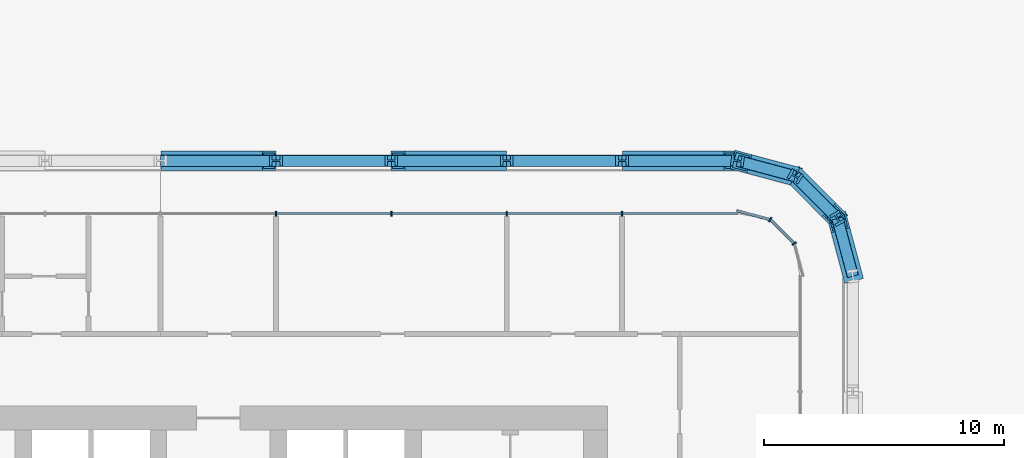
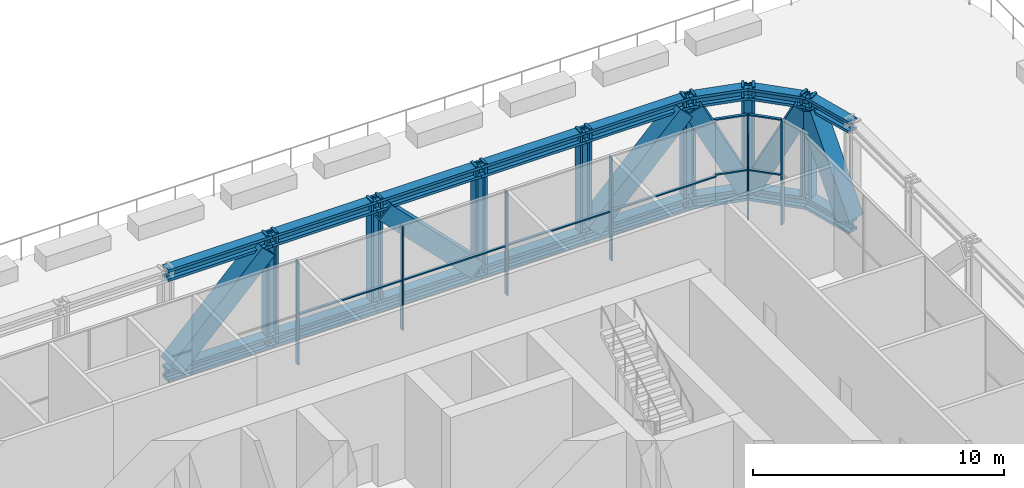
# One storey, part 10 of 22: 43 members, 2 elements without a shape of their own.
"""IFC4 building model written with IfcOpenShell, lengths in metres."""

from ifc_helpers import new_model, si_unit, direction, frame, origin, origin_2d, place, context, subcontext, project, spatial, rectangle, hollow_rectangle, i_section, extrude, material, layer, layer_set, material_profile, profile_set, type_object, element, aggregate, save


model = new_model("IFC4")

# Units and contexts
model_context = context("Model", 3, precision=1e-05, world=origin(), true_north=direction((0.0, 1.0)))
body_context = subcontext(model_context, "Body", "Model", "MODEL_VIEW")
ifc_project = project(units=[si_unit("LENGTHUNIT", "METRE"), si_unit("AREAUNIT", "SQUARE_METRE"), si_unit("VOLUMEUNIT", "CUBIC_METRE"), si_unit("PLANEANGLEUNIT", "RADIAN"), si_unit("MASSUNIT", "GRAM", prefix="KILO")], contexts=[model_context])

# Site, building, storey
site_placement = place(None, origin())
site = spatial("IfcSite", under=ifc_project, at=site_placement, CompositionType="ELEMENT")
building_placement = place(site_placement, origin())
building = spatial("IfcBuilding", under=site, at=building_placement, Name="Madar Terraces", CompositionType="ELEMENT")
storey_placement = place(building_placement, frame((0.0, 0.0, 24.0)))
storey = spatial("IfcBuildingStorey", under=building, at=storey_placement, Name="L05", CompositionType="ELEMENT", Elevation=24.0)

# Members
ifc_material_1 = material(Name="Steel ASTM A913 Grade 65", Category="steel")
ifc_material_profile_1 = material_profile(ifc_material_1, i_section(OverallWidth=0.4775390625, OverallDepth=0.599365234375, WebThickness=0.10009765625, FlangeThickness=0.139892578125, at=origin_2d()), Name="W14x873")
ifc_profile_set_1 = profile_set([ifc_material_profile_1], Name="Steel ASTM A913 Grade 65")
member_type_1 = type_object("IfcMemberType", Name="BC1 W14x873", PredefinedType="CHORD", material=ifc_profile_set_1)
member_1_placement = place(storey_placement, frame((57.60009765625, 43.199951171875, -0.120361328125), z_axis=(-0.258799930484, 0.965930947833, 0.0), x_axis=(-0.965930947833, -0.258799930484, 0.0)))
element("IfcMember", 1, at=member_1_placement, inside=storey, type_object=member_type_1, Name="Exoskeleton truss ring bottom chord BC1", PredefinedType="CHORD", context=body_context, shape_type="SweptSolid", body=[
    extrude(i_section(OverallWidth=0.4775390625, OverallDepth=0.599365234375, WebThickness=0.10009765625, FlangeThickness=0.139892578125, at=origin_2d()), origin(), (0.0, 0.0, 1.0), 2.48486328125),
])
for number, where, z_axis, x_axis, name in (
    (2, (56.95703125, 45.60009765625, -0.120361328125), (-0.707155907999, 0.70705765096, 0.0), (-0.70705765096, -0.707155907999, 0.0), "Exoskeleton truss ring bottom chord BC1"),
    (3, (55.199951171875, 47.35693359375, -0.120361328125), (-0.965924366126, 0.258824494443, 0.0), (-0.258824494443, -0.965924366126, 0.0), "Exoskeleton truss ring bottom chord BC1"),
):
    element("IfcMember", number, at=place(storey_placement, frame(where, z_axis=z_axis, x_axis=x_axis)), inside=storey, type_object=member_type_1, Name=name, PredefinedType="CHORD", context=body_context, shape_type="SweptSolid", body=[
        extrude(i_section(OverallWidth=0.4775390625, OverallDepth=0.599365234375, WebThickness=0.10009765625, FlangeThickness=0.139892578125, at=origin_2d()), origin(), (0.0, 0.0, 1.0), 2.484619140625),
    ])
for number, where, z_axis, x_axis, name in (
    (4, (52.800048828125, 48.0, -0.120361328125), (-1.0, 0.0, 0.0), (0.0, -1.0, 0.0), "Exoskeleton truss ring bottom chord BC1"),
    (5, (48.0, 48.0, -0.120361328125), (-1.0, 0.0, 0.0), (0.0, -1.0, 0.0), "Exoskeleton truss ring bottom chord BC1"),
    (6, (43.199951171875, 48.0, -0.120361328125), (-1.0, 0.0, 0.0), (0.0, -1.0, 0.0), "Exoskeleton truss ring bottom chord BC1"),
):
    element("IfcMember", number, at=place(storey_placement, frame(where, z_axis=z_axis, x_axis=x_axis)), inside=storey, type_object=member_type_1, Name=name, PredefinedType="CHORD", context=body_context, shape_type="SweptSolid", body=[
        extrude(i_section(OverallWidth=0.4775390625, OverallDepth=0.599365234375, WebThickness=0.10009765625, FlangeThickness=0.139892578125, at=origin_2d()), origin(), (0.0, 0.0, 1.0), 4.800048828125),
    ])
member_2_placement = place(storey_placement, frame((38.39990234375, 48.0, -0.120361328125), z_axis=(-1.0, 0.0, 0.0), x_axis=(0.0, -1.0, 0.0)))
element("IfcMember", 7, at=member_2_placement, inside=storey, type_object=member_type_1, Name="Exoskeleton truss ring bottom chord BC1", PredefinedType="CHORD", context=body_context, shape_type="SweptSolid", body=[
    extrude(i_section(OverallWidth=0.4775390625, OverallDepth=0.599365234375, WebThickness=0.10009765625, FlangeThickness=0.139892578125, at=origin_2d()), origin(), (0.0, 0.0, 1.0), 4.7998046875),
])
member_3_placement = place(storey_placement, frame((33.60009765625, 48.0, -0.120361328125), z_axis=(-1.0, 0.0, 0.0), x_axis=(0.0, -1.0, 0.0)))
element("IfcMember", 8, at=member_3_placement, inside=storey, type_object=member_type_1, Name="Exoskeleton truss ring bottom chord BC1", PredefinedType="CHORD", context=body_context, shape_type="SweptSolid", body=[
    extrude(i_section(OverallWidth=0.4775390625, OverallDepth=0.599365234375, WebThickness=0.10009765625, FlangeThickness=0.139892578125, at=origin_2d()), origin(), (0.0, 0.0, 1.0), 4.800048828125),
])

# Curtain wall, members
ifc_material_2 = material(Name="Glass, ceramic frit dark grey, with black aluminium frame", Category="aluminium")
ifc_layer = layer(ifc_material_2, 0.199951171875)
ifc_layer_set = layer_set([ifc_layer], Name="Facade curtain wall, tall glazing")
curtain_wall_type = type_object("IfcCurtainWallType", Name="Facade curtain wall, tall glazing", PredefinedType="NOTDEFINED", material=ifc_layer_set)
curtain_wall_1_placement = place(storey_placement, origin())
curtain_wall_1 = element("IfcCurtainWall", 9, at=curtain_wall_1_placement, inside=storey, type_object=curtain_wall_type, Name="Outer skin curtain wall north bay 1", PredefinedType="NOTDEFINED")
ifc_material_3 = material(Name="Aluminium, black anodised", Category="aluminium")
ifc_material_profile_2 = material_profile(ifc_material_3, rectangle(XDim=0.199951171875, YDim=0.06005859375, at=origin_2d()), Name="Facade mullion 60x200")
ifc_profile_set_2 = profile_set([ifc_material_profile_2], Name="Aluminium, black anodised")
member_type_2 = type_object("IfcMemberType", Name="Facade mullion 60x200", PredefinedType="MULLION", material=ifc_profile_set_2)
member_4_placement = place(storey_placement, frame((48.0, 45.800048828125, 0.0), z_axis=(0.0, 0.0, 1.0), x_axis=(0.0, -1.0, 0.0)))
member_4 = element("IfcMember", 10, at=member_4_placement, type_object=member_type_2, Name="Mullion 1", PredefinedType="MULLION", context=body_context, shape_type="SweptSolid", body=[
    extrude(rectangle(XDim=0.199951171875, YDim=0.06005859375, at=origin_2d()), origin(), (0.0, 0.0, 1.0), 5.0400390625),
])
member_5_placement = place(storey_placement, frame((43.199951171875, 45.800048828125, 0.0), z_axis=(0.0, 0.0, 1.0), x_axis=(0.0, -1.0, 0.0)))
member_5 = element("IfcMember", 11, at=member_5_placement, type_object=member_type_2, Name="Mullion 2", PredefinedType="MULLION", context=body_context, shape_type="SweptSolid", body=[
    extrude(rectangle(XDim=0.199951171875, YDim=0.06005859375, at=origin_2d()), origin(), (0.0, 0.0, 1.0), 5.0400390625),
])
member_6_placement = place(storey_placement, frame((38.39990234375, 45.800048828125, 0.0), z_axis=(0.0, 0.0, 1.0), x_axis=(0.0, -1.0, 0.0)))
member_6 = element("IfcMember", 12, at=member_6_placement, type_object=member_type_2, Name="Mullion 3", PredefinedType="MULLION", context=body_context, shape_type="SweptSolid", body=[
    extrude(rectangle(XDim=0.199951171875, YDim=0.06005859375, at=origin_2d()), origin(), (0.0, 0.0, 1.0), 5.0400390625),
])
member_7_placement = place(storey_placement, frame((33.60009765625, 45.800048828125, 0.0), z_axis=(0.0, 0.0, 1.0), x_axis=(0.0, -1.0, 0.0)))
member_7 = element("IfcMember", 13, at=member_7_placement, type_object=member_type_2, Name="Mullion 4", PredefinedType="MULLION", context=body_context, shape_type="SweptSolid", body=[
    extrude(rectangle(XDim=0.199951171875, YDim=0.06005859375, at=origin_2d()), origin(), (0.0, 0.0, 1.0), 5.0400390625),
])

curtain_wall_2_placement = place(storey_placement, origin())
curtain_wall_2 = element("IfcCurtainWall", 14, at=curtain_wall_2_placement, inside=storey, type_object=curtain_wall_type, Name="Outer skin curtain wall north-east corner", PredefinedType="NOTDEFINED")
member_8_placement = place(storey_placement, frame((55.155517578125, 44.56005859375, 0.0), z_axis=(0.0, 0.0, 1.0), x_axis=(-0.866025386925, -0.500000029202, 0.0)))
member_8 = element("IfcMember", 15, at=member_8_placement, type_object=member_type_2, Name="Mullion 1", PredefinedType="MULLION", context=body_context, shape_type="SweptSolid", body=[
    extrude(rectangle(XDim=0.199951171875, YDim=0.06005859375, at=origin_2d()), origin(), (0.0, 0.0, 1.0), 5.0400390625),
])
member_9_placement = place(storey_placement, frame((54.159912109375, 45.5556640625, 0.0), z_axis=(0.0, 0.0, 1.0), x_axis=(-0.500000029202, -0.866025386925, 0.0)))
member_9 = element("IfcMember", 16, at=member_9_placement, type_object=member_type_2, Name="Mullion 2", PredefinedType="MULLION", context=body_context, shape_type="SweptSolid", body=[
    extrude(rectangle(XDim=0.199951171875, YDim=0.06005859375, at=origin_2d()), origin(), (0.0, 0.0, 1.0), 5.0400390625),
])

# Member
ifc_material_4 = material(Name="Aluminium, black anodised", Category="aluminium")
ifc_material_profile_3 = material_profile(ifc_material_4, rectangle(XDim=0.1201171875, YDim=0.06005859375, at=origin_2d()), Name="Facade transom 60x120")
ifc_profile_set_3 = profile_set([ifc_material_profile_3], Name="Aluminium, black anodised")
member_type_3 = type_object("IfcMemberType", Name="Facade transom 60x120", PredefinedType="USERDEFINED", material=ifc_profile_set_3)
member_10_placement = place(storey_placement, frame((52.800048828125, 45.800048828125, 2.39990234375), z_axis=(-1.0, 0.0, 0.0), x_axis=(0.0, -1.0, 0.0)))
member_10 = element("IfcMember", 17, at=member_10_placement, type_object=member_type_3, Name="Transom 2", ObjectType="TRANSOM", PredefinedType="USERDEFINED", context=body_context, shape_type="SweptSolid", body=[
    extrude(rectangle(XDim=0.1201171875, YDim=0.06005859375, at=origin_2d()), origin(), (0.0, 0.0, 1.0), 4.77001953125),
])

member_11_placement = place(storey_placement, frame((47.969970703125, 45.800048828125, 2.39990234375), z_axis=(-1.0, 0.0, 0.0), x_axis=(0.0, -1.0, 0.0)))
member_11 = element("IfcMember", 18, at=member_11_placement, type_object=member_type_3, Name="Transom 3", ObjectType="TRANSOM", PredefinedType="USERDEFINED", context=body_context, shape_type="SweptSolid", body=[
    extrude(rectangle(XDim=0.1201171875, YDim=0.06005859375, at=origin_2d()), origin(), (0.0, 0.0, 1.0), 4.739990234375),
])

member_12_placement = place(storey_placement, frame((43.169921875, 45.800048828125, 2.39990234375), z_axis=(-1.0, 0.0, 0.0), x_axis=(0.0, -1.0, 0.0)))
member_12 = element("IfcMember", 19, at=member_12_placement, type_object=member_type_3, Name="Transom 4", ObjectType="TRANSOM", PredefinedType="USERDEFINED", context=body_context, shape_type="SweptSolid", body=[
    extrude(rectangle(XDim=0.1201171875, YDim=0.06005859375, at=origin_2d()), origin(), (0.0, 0.0, 1.0), 4.739990234375),
])

member_13_placement = place(storey_placement, frame((38.3701171875, 45.800048828125, 2.39990234375), z_axis=(-1.0, 0.0, 0.0), x_axis=(0.0, -1.0, 0.0)))
member_13 = element("IfcMember", 20, at=member_13_placement, type_object=member_type_3, Name="Transom 5", ObjectType="TRANSOM", PredefinedType="USERDEFINED", context=body_context, shape_type="SweptSolid", body=[
    extrude(rectangle(XDim=0.1201171875, YDim=0.06005859375, at=origin_2d()), origin(), (0.0, 0.0, 1.0), 4.740234375),
])

aggregate(curtain_wall_1, [member_4, member_5, member_6, member_7, member_10, member_11, member_12, member_13])

member_14_placement = place(storey_placement, frame((55.13427734375, 44.581298828125, 5.070068359375), z_axis=(-0.707106781187, 0.707106781187, 0.0), x_axis=(-0.707106781187, -0.707106781187, 0.0)))
member_14 = element("IfcMember", 21, at=member_14_placement, type_object=member_type_3, Name="Transom 3", ObjectType="TRANSOM", PredefinedType="USERDEFINED", context=body_context, shape_type="SweptSolid", body=[
    extrude(rectangle(XDim=0.1201171875, YDim=0.06005859375, at=origin_2d()), origin(), (0.0, 0.0, 1.0), 1.347900390625),
])

member_15_placement = place(storey_placement, frame((55.13427734375, 44.581298828125, 2.39990234375), z_axis=(-0.707106781187, 0.707106781187, 0.0), x_axis=(-0.707106781187, -0.707106781187, 0.0)))
member_15 = element("IfcMember", 22, at=member_15_placement, type_object=member_type_3, Name="Transom 4", ObjectType="TRANSOM", PredefinedType="USERDEFINED", context=body_context, shape_type="SweptSolid", body=[
    extrude(rectangle(XDim=0.1201171875, YDim=0.06005859375, at=origin_2d()), origin(), (0.0, 0.0, 1.0), 1.347900390625),
])

member_16_placement = place(storey_placement, frame((54.131103515625, 45.563232421875, 5.070068359375), z_axis=(-0.965919580711, 0.258842352791, 0.0), x_axis=(-0.258842352791, -0.965919580711, 0.0)))
member_16 = element("IfcMember", 23, at=member_16_placement, type_object=member_type_3, Name="Transom 5", ObjectType="TRANSOM", PredefinedType="USERDEFINED", context=body_context, shape_type="SweptSolid", body=[
    extrude(rectangle(XDim=0.1201171875, YDim=0.06005859375, at=origin_2d()), origin(), (0.0, 0.0, 1.0), 1.3779296875),
])

member_17_placement = place(storey_placement, frame((54.131103515625, 45.563232421875, 2.39990234375), z_axis=(-0.965919580711, 0.258842352791, 0.0), x_axis=(-0.258842352791, -0.965919580711, 0.0)))
member_17 = element("IfcMember", 24, at=member_17_placement, type_object=member_type_3, Name="Transom 6", ObjectType="TRANSOM", PredefinedType="USERDEFINED", context=body_context, shape_type="SweptSolid", body=[
    extrude(rectangle(XDim=0.1201171875, YDim=0.06005859375, at=origin_2d()), origin(), (0.0, 0.0, 1.0), 1.3779296875),
])

aggregate(curtain_wall_2, [member_8, member_9, member_14, member_15, member_16, member_17])

# Members
ifc_material_5 = material(Name="Steel ASTM A913 Grade 65", Category="steel")
ifc_material_profile_4 = material_profile(ifc_material_5, i_section(OverallWidth=0.45458984375, OverallDepth=0.56884765625, WebThickness=0.077880859375, FlangeThickness=0.124755859375, at=origin_2d()), Name="W14x730")
ifc_profile_set_4 = profile_set([ifc_material_profile_4], Name="Steel ASTM A913 Grade 65")
member_type_4 = type_object("IfcMemberType", Name="TC1 W14x730", PredefinedType="CHORD", material=ifc_profile_set_4)
member_18_placement = place(storey_placement, frame((57.60009765625, 43.199951171875, 4.74560546875), z_axis=(-0.258799930484, 0.965930947833, 0.0), x_axis=(-0.965930947833, -0.258799930484, 0.0)))
element("IfcMember", 25, at=member_18_placement, inside=storey, type_object=member_type_4, Name="Exoskeleton truss ring top chord TC1", PredefinedType="CHORD", context=body_context, shape_type="SweptSolid", body=[
    extrude(i_section(OverallWidth=0.45458984375, OverallDepth=0.56884765625, WebThickness=0.077880859375, FlangeThickness=0.124755859375, at=origin_2d()), origin(), (0.0, 0.0, 1.0), 2.48486328125),
])
for number, where, z_axis, x_axis, name in (
    (26, (56.95703125, 45.60009765625, 4.74560546875), (-0.707155907999, 0.70705765096, 0.0), (-0.70705765096, -0.707155907999, 0.0), "Exoskeleton truss ring top chord TC1"),
    (27, (55.199951171875, 47.35693359375, 4.74560546875), (-0.965924366126, 0.258824494443, 0.0), (-0.258824494443, -0.965924366126, 0.0), "Exoskeleton truss ring top chord TC1"),
):
    element("IfcMember", number, at=place(storey_placement, frame(where, z_axis=z_axis, x_axis=x_axis)), inside=storey, type_object=member_type_4, Name=name, PredefinedType="CHORD", context=body_context, shape_type="SweptSolid", body=[
        extrude(i_section(OverallWidth=0.45458984375, OverallDepth=0.56884765625, WebThickness=0.077880859375, FlangeThickness=0.124755859375, at=origin_2d()), origin(), (0.0, 0.0, 1.0), 2.484619140625),
    ])
for number, where, z_axis, x_axis, name in (
    (28, (52.800048828125, 48.0, 4.74560546875), (-1.0, 0.0, 0.0), (0.0, -1.0, 0.0), "Exoskeleton truss ring top chord TC1"),
    (29, (48.0, 48.0, 4.74560546875), (-1.0, 0.0, 0.0), (0.0, -1.0, 0.0), "Exoskeleton truss ring top chord TC1"),
    (30, (43.199951171875, 48.0, 4.74560546875), (-1.0, 0.0, 0.0), (0.0, -1.0, 0.0), "Exoskeleton truss ring top chord TC1"),
):
    element("IfcMember", number, at=place(storey_placement, frame(where, z_axis=z_axis, x_axis=x_axis)), inside=storey, type_object=member_type_4, Name=name, PredefinedType="CHORD", context=body_context, shape_type="SweptSolid", body=[
        extrude(i_section(OverallWidth=0.45458984375, OverallDepth=0.56884765625, WebThickness=0.077880859375, FlangeThickness=0.124755859375, at=origin_2d()), origin(), (0.0, 0.0, 1.0), 4.800048828125),
    ])
member_19_placement = place(storey_placement, frame((38.39990234375, 48.0, 4.74560546875), z_axis=(-1.0, 0.0, 0.0), x_axis=(0.0, -1.0, 0.0)))
element("IfcMember", 31, at=member_19_placement, inside=storey, type_object=member_type_4, Name="Exoskeleton truss ring top chord TC1", PredefinedType="CHORD", context=body_context, shape_type="SweptSolid", body=[
    extrude(i_section(OverallWidth=0.45458984375, OverallDepth=0.56884765625, WebThickness=0.077880859375, FlangeThickness=0.124755859375, at=origin_2d()), origin(), (0.0, 0.0, 1.0), 4.7998046875),
])
member_20_placement = place(storey_placement, frame((33.60009765625, 48.0, 4.74560546875), z_axis=(-1.0, 0.0, 0.0), x_axis=(0.0, -1.0, 0.0)))
element("IfcMember", 32, at=member_20_placement, inside=storey, type_object=member_type_4, Name="Exoskeleton truss ring top chord TC1", PredefinedType="CHORD", context=body_context, shape_type="SweptSolid", body=[
    extrude(i_section(OverallWidth=0.45458984375, OverallDepth=0.56884765625, WebThickness=0.077880859375, FlangeThickness=0.124755859375, at=origin_2d()), origin(), (0.0, 0.0, 1.0), 4.800048828125),
])
ifc_material_6 = material(Name="Steel ASTM A572 Grade 50", Category="steel")
ifc_material_profile_5 = material_profile(ifc_material_6, hollow_rectangle(XDim=0.800048828125, YDim=0.800048828125, WallThickness=0.080078125, at=origin_2d()), Name="BOX800x800x80")
ifc_profile_set_5 = profile_set([ifc_material_profile_5], Name="Steel ASTM A572 Grade 50")
member_type_5 = type_object("IfcMemberType", Name="TD1 BOX800x800x80", PredefinedType="BRACE", material=ifc_profile_set_5)
member_21_placement = place(storey_placement, frame((57.560302734375, 43.347900390625, 0.179443359375), z_axis=(-0.117667685329, 0.439285920627, 0.890607767633), x_axis=(-0.965947054738, -0.258739806454, 0.0)))
element("IfcMember", 33, at=member_21_placement, inside=storey, type_object=member_type_5, Name="Exoskeleton truss ring diagonal TD1", PredefinedType="BRACE", context=body_context, shape_type="SweptSolid", body=[
    extrude(hollow_rectangle(XDim=0.800048828125, YDim=0.800048828125, WallThickness=0.080078125, at=origin_2d()), origin(), (0.0, 0.0, 1.0), 4.807373046875),
])
member_22_placement = place(storey_placement, frame((56.854248046875, 45.70263671875, 4.4609375), z_axis=(-0.321608784268, 0.321608784268, -0.890581596353), x_axis=(-0.707106781187, -0.707106781187, 0.0)))
element("IfcMember", 34, at=member_22_placement, inside=storey, type_object=member_type_5, Name="Exoskeleton truss ring diagonal TD1", PredefinedType="BRACE", context=body_context, shape_type="SweptSolid", body=[
    extrude(hollow_rectangle(XDim=0.800048828125, YDim=0.800048828125, WallThickness=0.080078125, at=origin_2d()), origin(), (0.0, 0.0, 1.0), 4.8076171875),
])
member_23_placement = place(storey_placement, frame((55.05224609375, 47.396484375, 0.179443359375), z_axis=(-0.439283295045, 0.117717766233, 0.890602444533), x_axis=(-0.258843996214, -0.965919140314, 0.0)))
element("IfcMember", 35, at=member_23_placement, inside=storey, type_object=member_type_5, Name="Exoskeleton truss ring diagonal TD1", PredefinedType="BRACE", context=body_context, shape_type="SweptSolid", body=[
    extrude(hollow_rectangle(XDim=0.800048828125, YDim=0.800048828125, WallThickness=0.080078125, at=origin_2d()), origin(), (0.0, 0.0, 1.0), 4.807373046875),
])
for number, where, z_axis, x_axis, name in (
    (36, (52.519287109375, 48.0, 4.4609375), (-0.702280003428, 0.0, -0.711900833533), (0.0, -1.0, 0.0), "Exoskeleton truss ring diagonal TD1"),
    (37, (42.904296875, 48.0, 0.179443359375), (-0.702280003428, 0.0, 0.711900833533), (0.0, -1.0, 0.0), "Exoskeleton truss ring diagonal TD1"),
    (38, (33.3193359375, 48.0, 4.4609375), (-0.702280003428, 0.0, -0.711900833533), (0.0, -1.0, 0.0), "Exoskeleton truss ring diagonal TD1"),
):
    element("IfcMember", number, at=place(storey_placement, frame(where, z_axis=z_axis, x_axis=x_axis)), inside=storey, type_object=member_type_5, Name=name, PredefinedType="BRACE", context=body_context, shape_type="SweptSolid", body=[
        extrude(hollow_rectangle(XDim=0.800048828125, YDim=0.800048828125, WallThickness=0.080078125, at=origin_2d()), origin(), (0.0, 0.0, 1.0), 6.01416015625),
    ])
ifc_material_7 = material(Name="Steel ASTM A913 Grade 65", Category="steel")
ifc_material_profile_6 = material_profile(ifc_material_7, i_section(OverallWidth=0.44189453125, OverallDepth=0.53076171875, WebThickness=0.06591796875, FlangeThickness=0.105712890625, at=origin_2d()), Name="W14x605")
ifc_profile_set_6 = profile_set([ifc_material_profile_6], Name="Steel ASTM A913 Grade 65")
member_type_6 = type_object("IfcMemberType", Name="TV1 W14x605", PredefinedType="POST", material=ifc_profile_set_6)
for number, where, z_axis, x_axis, name in (
    (39, (56.95703125, 45.60009765625, 0.179443359375), (0.0, 0.0, 1.0), (-0.866025412511, -0.499999984885, 0.0), "Exoskeleton truss ring post TV1"),
    (40, (55.199951171875, 47.35693359375, 0.179443359375), (0.0, 0.0, 1.0), (-0.499999984885, -0.866025412511, 0.0), "Exoskeleton truss ring post TV1"),
):
    element("IfcMember", number, at=place(storey_placement, frame(where, z_axis=z_axis, x_axis=x_axis)), inside=storey, type_object=member_type_6, Name=name, PredefinedType="POST", context=body_context, shape_type="SweptSolid", body=[
        extrude(i_section(OverallWidth=0.44189453125, OverallDepth=0.53076171875, WebThickness=0.06591796875, FlangeThickness=0.105712890625, at=origin_2d()), origin(), (0.0, 0.0, 1.0), 4.920654296875),
    ])
member_24_placement = place(storey_placement, frame((52.800048828125, 48.0, -0.419921875), z_axis=(0.0, 0.0, 1.0), x_axis=(-0.130526174916, -0.991444863652, 0.0)))
element("IfcMember", 41, at=member_24_placement, inside=storey, type_object=member_type_6, Name="Exoskeleton truss ring post TV1", PredefinedType="POST", context=body_context, shape_type="SweptSolid", body=[
    extrude(i_section(OverallWidth=0.44189453125, OverallDepth=0.53076171875, WebThickness=0.06591796875, FlangeThickness=0.105712890625, at=origin_2d()), origin(), (0.0, 0.0, 1.0), 5.52001953125),
])
member_25_placement = place(storey_placement, frame((48.0, 48.0, 0.179443359375), z_axis=(0.0, 0.0, 1.0), x_axis=(0.0, -1.0, 0.0)))
element("IfcMember", 42, at=member_25_placement, inside=storey, type_object=member_type_6, Name="Exoskeleton truss ring post TV1", PredefinedType="POST", context=body_context, shape_type="SweptSolid", body=[
    extrude(i_section(OverallWidth=0.44189453125, OverallDepth=0.53076171875, WebThickness=0.06591796875, FlangeThickness=0.105712890625, at=origin_2d()), origin(), (0.0, 0.0, 1.0), 4.920654296875),
])
member_26_placement = place(storey_placement, frame((43.199951171875, 48.0, -0.419921875), z_axis=(0.0, 0.0, 1.0), x_axis=(0.0, -1.0, 0.0)))
element("IfcMember", 43, at=member_26_placement, inside=storey, type_object=member_type_6, Name="Exoskeleton truss ring post TV1", PredefinedType="POST", context=body_context, shape_type="SweptSolid", body=[
    extrude(i_section(OverallWidth=0.44189453125, OverallDepth=0.53076171875, WebThickness=0.06591796875, FlangeThickness=0.105712890625, at=origin_2d()), origin(), (0.0, 0.0, 1.0), 5.52001953125),
])
member_27_placement = place(storey_placement, frame((38.39990234375, 48.0, 0.179443359375), z_axis=(0.0, 0.0, 1.0), x_axis=(0.0, -1.0, 0.0)))
element("IfcMember", 44, at=member_27_placement, inside=storey, type_object=member_type_6, Name="Exoskeleton truss ring post TV1", PredefinedType="POST", context=body_context, shape_type="SweptSolid", body=[
    extrude(i_section(OverallWidth=0.44189453125, OverallDepth=0.53076171875, WebThickness=0.06591796875, FlangeThickness=0.105712890625, at=origin_2d()), origin(), (0.0, 0.0, 1.0), 4.920654296875),
])
member_28_placement = place(storey_placement, frame((33.60009765625, 48.0, -0.419921875), z_axis=(0.0, 0.0, 1.0), x_axis=(0.0, -1.0, 0.0)))
element("IfcMember", 45, at=member_28_placement, inside=storey, type_object=member_type_6, Name="Exoskeleton truss ring post TV1", PredefinedType="POST", context=body_context, shape_type="SweptSolid", body=[
    extrude(i_section(OverallWidth=0.44189453125, OverallDepth=0.53076171875, WebThickness=0.06591796875, FlangeThickness=0.105712890625, at=origin_2d()), origin(), (0.0, 0.0, 1.0), 5.52001953125),
])

save(model, "model.ifc")
